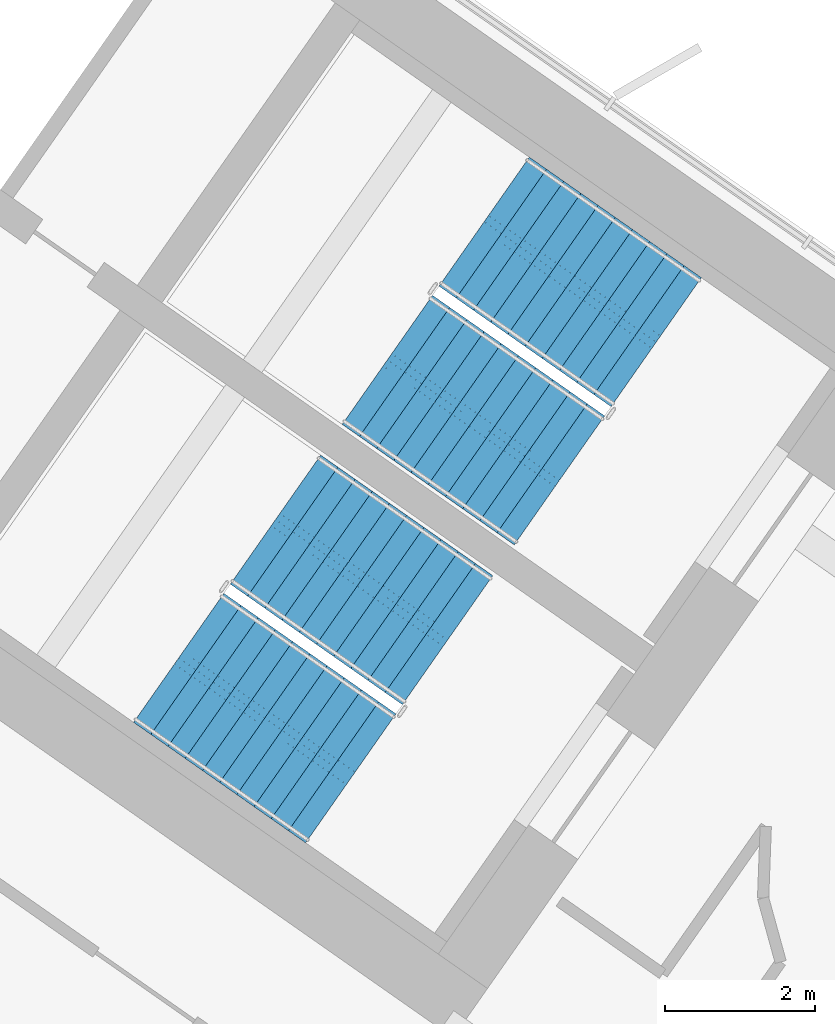
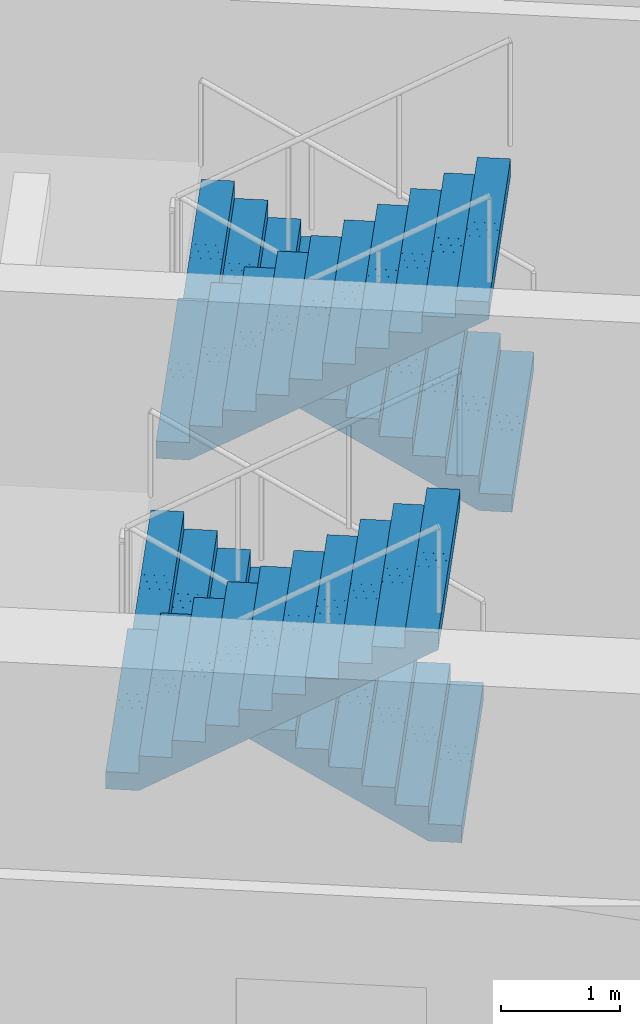
# One storey, part 16 of 21: 4 stair flights, 2 elements without a shape of their own.
"""IFC4 building model written with IfcOpenShell, lengths in metres."""

from ifc_helpers import new_model, si_unit, direction, frame, origin, place, context, subcontext, project, spatial, polyline, outline, extrude, material, type_object, element, aggregate, save


model = new_model("IFC4")

# Units and contexts
model_context = context("Model", 3, precision=1e-05, world=origin(), true_north=direction((0.0, 1.0)))
body_context = subcontext(model_context, "Body", "Model", "MODEL_VIEW")
ifc_project = project(units=[si_unit("LENGTHUNIT", "METRE"), si_unit("AREAUNIT", "SQUARE_METRE"), si_unit("VOLUMEUNIT", "CUBIC_METRE"), si_unit("PLANEANGLEUNIT", "RADIAN"), si_unit("MASSUNIT", "GRAM", prefix="KILO")], contexts=[model_context])

# Site, building, storey
site_placement = place(None, origin())
site = spatial("IfcSite", under=ifc_project, at=site_placement, CompositionType="ELEMENT")
building_placement = place(site_placement, origin())
building = spatial("IfcBuilding", under=site, at=building_placement, Name="Tel Ilan Convention Tower", CompositionType="ELEMENT")
storey_placement = place(building_placement, frame((0.0, 0.0, 210.0)))
storey = spatial("IfcBuildingStorey", under=building, at=storey_placement, Name="L49", CompositionType="ELEMENT", Elevation=210.0)

# Stair, stair flights
ifc_material_1 = material(Name="Concrete C40/50", Category="concrete")
stair_type = type_object("IfcStairType", Name="Pressurised Exit Stair 22 risers 177 mm", PredefinedType="HALF_TURN_STAIR", material=ifc_material_1)
stair_1_placement = place(storey_placement, origin())
stair_1 = element("IfcStair", 1, at=stair_1_placement, inside=storey, type_object=stair_type, Name="L49 Pressurised Stair S3", PredefinedType="HALF_TURN_STAIR")
ifc_material_2 = material(Name="Precast Concrete C40/50", Category="concrete")
stair_flight_type = type_object("IfcStairFlightType", Name="Concrete Stair Flight 2100 mm 22 risers 177 mm", PredefinedType="STRAIGHT", material=ifc_material_2)
stair_flight_1_placement = place(storey_placement, frame((24.25244140625, -7.032470703125, 0.0), z_axis=(0.0, 0.0, 1.0), x_axis=(-0.819152044289, 0.573576436351, 0.0)))
stair_flight_1 = element("IfcStairFlight", 2, at=stair_flight_1_placement, type_object=stair_flight_type, Name="S3 flight 1", NumberOfRisers=11, NumberOfTreads=10, PredefinedType="STRAIGHT", RiserHeight=0.177272727, TreadLength=0.28, context=body_context, shape_type="SweptSolid", body=[
    extrude(outline(polyline([(0.0, 0.0), (0.0, 0.17724609375), (0.280029296875, 0.17724609375), (0.280029296875, 0.3544921875), (0.56005859375, 0.3544921875), (0.56005859375, 0.53173828125), (0.840087890625, 0.53173828125), (0.840087890625, 0.708984375), (1.1201171875, 0.708984375), (1.1201171875, 0.886474609375), (1.39990234375, 0.886474609375), (1.39990234375, 1.063720703125), (1.679931640625, 1.063720703125), (1.679931640625, 1.240966796875), (1.9599609375, 1.240966796875), (1.9599609375, 1.418212890625), (2.239990234375, 1.418212890625), (2.239990234375, 1.595458984375), (2.52001953125, 1.595458984375), (2.52001953125, 1.772705078125), (2.800048828125, 1.772705078125), (2.800048828125, 1.949951171875), (2.800048828125, 1.59521484375), (0.2802734375, 0.0), (0.0, 0.0)])), frame((0.0, -0.100341796875, 0.0), z_axis=(0.0, -1.0, 0.0), x_axis=(1.0, 0.0, 0.0)), (0.0, 0.0, 1.0), 0.94970703125),
    extrude(outline(polyline([(0.0, 0.0), (0.0, 0.17724609375), (0.280029296875, 0.17724609375), (0.280029296875, 0.3544921875), (0.56005859375, 0.3544921875), (0.56005859375, 0.53173828125), (0.840087890625, 0.53173828125), (0.840087890625, 0.708984375), (1.1201171875, 0.708984375), (1.1201171875, 0.886474609375), (1.39990234375, 0.886474609375), (1.39990234375, 1.063720703125), (1.679931640625, 1.063720703125), (1.679931640625, 1.240966796875), (1.9599609375, 1.240966796875), (1.9599609375, 1.418212890625), (2.239990234375, 1.418212890625), (2.239990234375, 1.595458984375), (2.52001953125, 1.595458984375), (2.52001953125, 1.772705078125), (2.800048828125, 1.772705078125), (2.800048828125, 1.949951171875), (2.800048828125, 1.59521484375), (0.2802734375, 0.0), (0.0, 0.0)])), frame((0.0, -0.000244140625, 0.0), z_axis=(0.0, -1.0, 0.0), x_axis=(1.0, 0.0, 0.0)), (0.0, 0.0, 1.0), 0.099609375),
    extrude(outline(polyline([(0.0, 0.0), (0.0, 0.17724609375), (0.280029296875, 0.17724609375), (0.280029296875, 0.3544921875), (0.56005859375, 0.3544921875), (0.56005859375, 0.53173828125), (0.840087890625, 0.53173828125), (0.840087890625, 0.708984375), (1.1201171875, 0.708984375), (1.1201171875, 0.886474609375), (1.39990234375, 0.886474609375), (1.39990234375, 1.063720703125), (1.679931640625, 1.063720703125), (1.679931640625, 1.240966796875), (1.9599609375, 1.240966796875), (1.9599609375, 1.418212890625), (2.239990234375, 1.418212890625), (2.239990234375, 1.595458984375), (2.52001953125, 1.595458984375), (2.52001953125, 1.772705078125), (2.800048828125, 1.772705078125), (2.800048828125, 1.949951171875), (2.800048828125, 1.59521484375), (0.2802734375, 0.0), (0.0, 0.0)])), frame((0.0, 0.099853515625, 0.0), z_axis=(0.0, -1.0, 0.0), x_axis=(1.0, 0.0, 0.0)), (0.0, 0.0, 1.0), 0.099609375),
    extrude(outline(polyline([(0.0, 0.0), (0.0, 0.17724609375), (0.280029296875, 0.17724609375), (0.280029296875, 0.3544921875), (0.56005859375, 0.3544921875), (0.56005859375, 0.53173828125), (0.840087890625, 0.53173828125), (0.840087890625, 0.708984375), (1.1201171875, 0.708984375), (1.1201171875, 0.886474609375), (1.39990234375, 0.886474609375), (1.39990234375, 1.063720703125), (1.679931640625, 1.063720703125), (1.679931640625, 1.240966796875), (1.9599609375, 1.240966796875), (1.9599609375, 1.418212890625), (2.239990234375, 1.418212890625), (2.239990234375, 1.595458984375), (2.52001953125, 1.595458984375), (2.52001953125, 1.772705078125), (2.800048828125, 1.772705078125), (2.800048828125, 1.949951171875), (2.800048828125, 1.59521484375), (0.2802734375, 0.0), (0.0, 0.0)])), frame((0.0, 1.050048828125, 0.0), z_axis=(0.0, -1.0, 0.0), x_axis=(1.0, 0.0, 0.0)), (0.0, 0.0, 1.0), 0.94970703125),
])
stair_flight_2_placement = place(storey_placement, frame((20.668212890625, -7.26953125, 1.949951171875), z_axis=(0.0, 0.0, 1.0), x_axis=(0.819152044289, -0.573576436351, 0.0)))
stair_flight_2 = element("IfcStairFlight", 3, at=stair_flight_2_placement, type_object=stair_flight_type, Name="S3 flight 2", NumberOfRisers=11, NumberOfTreads=10, PredefinedType="STRAIGHT", RiserHeight=0.177272727, TreadLength=0.28, context=body_context, shape_type="SweptSolid", body=[
    extrude(outline(polyline([(0.0, 0.0), (0.0, 0.17724609375), (0.280029296875, 0.17724609375), (0.280029296875, 0.3544921875), (0.56005859375, 0.3544921875), (0.56005859375, 0.53173828125), (0.840087890625, 0.53173828125), (0.840087890625, 0.708984375), (1.1201171875, 0.708984375), (1.1201171875, 0.886474609375), (1.39990234375, 0.886474609375), (1.39990234375, 1.063720703125), (1.679931640625, 1.063720703125), (1.679931640625, 1.240966796875), (1.9599609375, 1.240966796875), (1.9599609375, 1.418212890625), (2.239990234375, 1.418212890625), (2.239990234375, 1.595458984375), (2.52001953125, 1.595458984375), (2.52001953125, 1.772705078125), (2.800048828125, 1.772705078125), (2.800048828125, 1.949951171875), (2.800048828125, 1.59521484375), (0.2802734375, 0.0), (0.0, 0.0)])), frame((0.0, -0.100341796875, 0.0), z_axis=(0.0, -1.0, 0.0), x_axis=(1.0, 0.0, 0.0)), (0.0, 0.0, 1.0), 0.94970703125),
    extrude(outline(polyline([(0.0, 0.0), (0.0, 0.17724609375), (0.280029296875, 0.17724609375), (0.280029296875, 0.3544921875), (0.56005859375, 0.3544921875), (0.56005859375, 0.53173828125), (0.840087890625, 0.53173828125), (0.840087890625, 0.708984375), (1.1201171875, 0.708984375), (1.1201171875, 0.886474609375), (1.39990234375, 0.886474609375), (1.39990234375, 1.063720703125), (1.679931640625, 1.063720703125), (1.679931640625, 1.240966796875), (1.9599609375, 1.240966796875), (1.9599609375, 1.418212890625), (2.239990234375, 1.418212890625), (2.239990234375, 1.595458984375), (2.52001953125, 1.595458984375), (2.52001953125, 1.772705078125), (2.800048828125, 1.772705078125), (2.800048828125, 1.949951171875), (2.800048828125, 1.59521484375), (0.2802734375, 0.0), (0.0, 0.0)])), frame((0.0, -0.000244140625, 0.0), z_axis=(0.0, -1.0, 0.0), x_axis=(1.0, 0.0, 0.0)), (0.0, 0.0, 1.0), 0.099609375),
    extrude(outline(polyline([(0.0, 0.0), (0.0, 0.17724609375), (0.280029296875, 0.17724609375), (0.280029296875, 0.3544921875), (0.56005859375, 0.3544921875), (0.56005859375, 0.53173828125), (0.840087890625, 0.53173828125), (0.840087890625, 0.708984375), (1.1201171875, 0.708984375), (1.1201171875, 0.886474609375), (1.39990234375, 0.886474609375), (1.39990234375, 1.063720703125), (1.679931640625, 1.063720703125), (1.679931640625, 1.240966796875), (1.9599609375, 1.240966796875), (1.9599609375, 1.418212890625), (2.239990234375, 1.418212890625), (2.239990234375, 1.595458984375), (2.52001953125, 1.595458984375), (2.52001953125, 1.772705078125), (2.800048828125, 1.772705078125), (2.800048828125, 1.949951171875), (2.800048828125, 1.59521484375), (0.2802734375, 0.0), (0.0, 0.0)])), frame((0.0, 0.099853515625, 0.0), z_axis=(0.0, -1.0, 0.0), x_axis=(1.0, 0.0, 0.0)), (0.0, 0.0, 1.0), 0.099609375),
    extrude(outline(polyline([(0.0, 0.0), (0.0, 0.17724609375), (0.280029296875, 0.17724609375), (0.280029296875, 0.3544921875), (0.56005859375, 0.3544921875), (0.56005859375, 0.53173828125), (0.840087890625, 0.53173828125), (0.840087890625, 0.708984375), (1.1201171875, 0.708984375), (1.1201171875, 0.886474609375), (1.39990234375, 0.886474609375), (1.39990234375, 1.063720703125), (1.679931640625, 1.063720703125), (1.679931640625, 1.240966796875), (1.9599609375, 1.240966796875), (1.9599609375, 1.418212890625), (2.239990234375, 1.418212890625), (2.239990234375, 1.595458984375), (2.52001953125, 1.595458984375), (2.52001953125, 1.772705078125), (2.800048828125, 1.772705078125), (2.800048828125, 1.949951171875), (2.800048828125, 1.59521484375), (0.2802734375, 0.0), (0.0, 0.0)])), frame((0.0, 1.050048828125, 0.0), z_axis=(0.0, -1.0, 0.0), x_axis=(1.0, 0.0, 0.0)), (0.0, 0.0, 1.0), 0.94970703125),
])
aggregate(stair_1, [stair_flight_1, stair_flight_2])

stair_2_placement = place(storey_placement, origin())
stair_2 = element("IfcStair", 4, at=stair_2_placement, inside=storey, type_object=stair_type, Name="L49 Pressurised Stair S4", PredefinedType="HALF_TURN_STAIR")
stair_flight_3_placement = place(storey_placement, frame((21.470458984375, -11.00537109375, 0.0), z_axis=(0.0, 0.0, 1.0), x_axis=(-0.819152044289, 0.573576436351, 0.0)))
stair_flight_3 = element("IfcStairFlight", 5, at=stair_flight_3_placement, type_object=stair_flight_type, Name="S4 flight 1", NumberOfRisers=11, NumberOfTreads=10, PredefinedType="STRAIGHT", RiserHeight=0.177272727, TreadLength=0.28, context=body_context, shape_type="SweptSolid", body=[
    extrude(outline(polyline([(0.0, 0.0), (0.0, 0.17724609375), (0.280029296875, 0.17724609375), (0.280029296875, 0.3544921875), (0.56005859375, 0.3544921875), (0.56005859375, 0.53173828125), (0.840087890625, 0.53173828125), (0.840087890625, 0.708984375), (1.1201171875, 0.708984375), (1.1201171875, 0.886474609375), (1.39990234375, 0.886474609375), (1.39990234375, 1.063720703125), (1.679931640625, 1.063720703125), (1.679931640625, 1.240966796875), (1.9599609375, 1.240966796875), (1.9599609375, 1.418212890625), (2.239990234375, 1.418212890625), (2.239990234375, 1.595458984375), (2.52001953125, 1.595458984375), (2.52001953125, 1.772705078125), (2.800048828125, 1.772705078125), (2.800048828125, 1.949951171875), (2.800048828125, 1.59521484375), (0.2802734375, 0.0), (0.0, 0.0)])), frame((0.0, -0.100341796875, 0.0), z_axis=(0.0, -1.0, 0.0), x_axis=(1.0, 0.0, 0.0)), (0.0, 0.0, 1.0), 0.94970703125),
    extrude(outline(polyline([(0.0, 0.0), (0.0, 0.17724609375), (0.280029296875, 0.17724609375), (0.280029296875, 0.3544921875), (0.56005859375, 0.3544921875), (0.56005859375, 0.53173828125), (0.840087890625, 0.53173828125), (0.840087890625, 0.708984375), (1.1201171875, 0.708984375), (1.1201171875, 0.886474609375), (1.39990234375, 0.886474609375), (1.39990234375, 1.063720703125), (1.679931640625, 1.063720703125), (1.679931640625, 1.240966796875), (1.9599609375, 1.240966796875), (1.9599609375, 1.418212890625), (2.239990234375, 1.418212890625), (2.239990234375, 1.595458984375), (2.52001953125, 1.595458984375), (2.52001953125, 1.772705078125), (2.800048828125, 1.772705078125), (2.800048828125, 1.949951171875), (2.800048828125, 1.59521484375), (0.2802734375, 0.0), (0.0, 0.0)])), frame((0.0, -0.000244140625, 0.0), z_axis=(0.0, -1.0, 0.0), x_axis=(1.0, 0.0, 0.0)), (0.0, 0.0, 1.0), 0.099609375),
    extrude(outline(polyline([(0.0, 0.0), (0.0, 0.17724609375), (0.280029296875, 0.17724609375), (0.280029296875, 0.3544921875), (0.56005859375, 0.3544921875), (0.56005859375, 0.53173828125), (0.840087890625, 0.53173828125), (0.840087890625, 0.708984375), (1.1201171875, 0.708984375), (1.1201171875, 0.886474609375), (1.39990234375, 0.886474609375), (1.39990234375, 1.063720703125), (1.679931640625, 1.063720703125), (1.679931640625, 1.240966796875), (1.9599609375, 1.240966796875), (1.9599609375, 1.418212890625), (2.239990234375, 1.418212890625), (2.239990234375, 1.595458984375), (2.52001953125, 1.595458984375), (2.52001953125, 1.772705078125), (2.800048828125, 1.772705078125), (2.800048828125, 1.949951171875), (2.800048828125, 1.59521484375), (0.2802734375, 0.0), (0.0, 0.0)])), frame((0.0, 0.099853515625, 0.0), z_axis=(0.0, -1.0, 0.0), x_axis=(1.0, 0.0, 0.0)), (0.0, 0.0, 1.0), 0.099609375),
    extrude(outline(polyline([(0.0, 0.0), (0.0, 0.17724609375), (0.280029296875, 0.17724609375), (0.280029296875, 0.3544921875), (0.56005859375, 0.3544921875), (0.56005859375, 0.53173828125), (0.840087890625, 0.53173828125), (0.840087890625, 0.708984375), (1.1201171875, 0.708984375), (1.1201171875, 0.886474609375), (1.39990234375, 0.886474609375), (1.39990234375, 1.063720703125), (1.679931640625, 1.063720703125), (1.679931640625, 1.240966796875), (1.9599609375, 1.240966796875), (1.9599609375, 1.418212890625), (2.239990234375, 1.418212890625), (2.239990234375, 1.595458984375), (2.52001953125, 1.595458984375), (2.52001953125, 1.772705078125), (2.800048828125, 1.772705078125), (2.800048828125, 1.949951171875), (2.800048828125, 1.59521484375), (0.2802734375, 0.0), (0.0, 0.0)])), frame((0.0, 1.050048828125, 0.0), z_axis=(0.0, -1.0, 0.0), x_axis=(1.0, 0.0, 0.0)), (0.0, 0.0, 1.0), 0.94970703125),
])
stair_flight_4_placement = place(storey_placement, frame((17.886474609375, -11.242431640625, 1.949951171875), z_axis=(0.0, 0.0, 1.0), x_axis=(0.819152044289, -0.573576436351, 0.0)))
stair_flight_4 = element("IfcStairFlight", 6, at=stair_flight_4_placement, type_object=stair_flight_type, Name="S4 flight 2", NumberOfRisers=11, NumberOfTreads=10, PredefinedType="STRAIGHT", RiserHeight=0.177272727, TreadLength=0.28, context=body_context, shape_type="SweptSolid", body=[
    extrude(outline(polyline([(0.0, 0.0), (0.0, 0.17724609375), (0.280029296875, 0.17724609375), (0.280029296875, 0.3544921875), (0.56005859375, 0.3544921875), (0.56005859375, 0.53173828125), (0.840087890625, 0.53173828125), (0.840087890625, 0.708984375), (1.1201171875, 0.708984375), (1.1201171875, 0.886474609375), (1.39990234375, 0.886474609375), (1.39990234375, 1.063720703125), (1.679931640625, 1.063720703125), (1.679931640625, 1.240966796875), (1.9599609375, 1.240966796875), (1.9599609375, 1.418212890625), (2.239990234375, 1.418212890625), (2.239990234375, 1.595458984375), (2.52001953125, 1.595458984375), (2.52001953125, 1.772705078125), (2.800048828125, 1.772705078125), (2.800048828125, 1.949951171875), (2.800048828125, 1.59521484375), (0.2802734375, 0.0), (0.0, 0.0)])), frame((0.0, -0.100341796875, 0.0), z_axis=(0.0, -1.0, 0.0), x_axis=(1.0, 0.0, 0.0)), (0.0, 0.0, 1.0), 0.94970703125),
    extrude(outline(polyline([(0.0, 0.0), (0.0, 0.17724609375), (0.280029296875, 0.17724609375), (0.280029296875, 0.3544921875), (0.56005859375, 0.3544921875), (0.56005859375, 0.53173828125), (0.840087890625, 0.53173828125), (0.840087890625, 0.708984375), (1.1201171875, 0.708984375), (1.1201171875, 0.886474609375), (1.39990234375, 0.886474609375), (1.39990234375, 1.063720703125), (1.679931640625, 1.063720703125), (1.679931640625, 1.240966796875), (1.9599609375, 1.240966796875), (1.9599609375, 1.418212890625), (2.239990234375, 1.418212890625), (2.239990234375, 1.595458984375), (2.52001953125, 1.595458984375), (2.52001953125, 1.772705078125), (2.800048828125, 1.772705078125), (2.800048828125, 1.949951171875), (2.800048828125, 1.59521484375), (0.2802734375, 0.0), (0.0, 0.0)])), frame((0.0, -0.000244140625, 0.0), z_axis=(0.0, -1.0, 0.0), x_axis=(1.0, 0.0, 0.0)), (0.0, 0.0, 1.0), 0.099609375),
    extrude(outline(polyline([(0.0, 0.0), (0.0, 0.17724609375), (0.280029296875, 0.17724609375), (0.280029296875, 0.3544921875), (0.56005859375, 0.3544921875), (0.56005859375, 0.53173828125), (0.840087890625, 0.53173828125), (0.840087890625, 0.708984375), (1.1201171875, 0.708984375), (1.1201171875, 0.886474609375), (1.39990234375, 0.886474609375), (1.39990234375, 1.063720703125), (1.679931640625, 1.063720703125), (1.679931640625, 1.240966796875), (1.9599609375, 1.240966796875), (1.9599609375, 1.418212890625), (2.239990234375, 1.418212890625), (2.239990234375, 1.595458984375), (2.52001953125, 1.595458984375), (2.52001953125, 1.772705078125), (2.800048828125, 1.772705078125), (2.800048828125, 1.949951171875), (2.800048828125, 1.59521484375), (0.2802734375, 0.0), (0.0, 0.0)])), frame((0.0, 0.099853515625, 0.0), z_axis=(0.0, -1.0, 0.0), x_axis=(1.0, 0.0, 0.0)), (0.0, 0.0, 1.0), 0.099609375),
    extrude(outline(polyline([(0.0, 0.0), (0.0, 0.17724609375), (0.280029296875, 0.17724609375), (0.280029296875, 0.3544921875), (0.56005859375, 0.3544921875), (0.56005859375, 0.53173828125), (0.840087890625, 0.53173828125), (0.840087890625, 0.708984375), (1.1201171875, 0.708984375), (1.1201171875, 0.886474609375), (1.39990234375, 0.886474609375), (1.39990234375, 1.063720703125), (1.679931640625, 1.063720703125), (1.679931640625, 1.240966796875), (1.9599609375, 1.240966796875), (1.9599609375, 1.418212890625), (2.239990234375, 1.418212890625), (2.239990234375, 1.595458984375), (2.52001953125, 1.595458984375), (2.52001953125, 1.772705078125), (2.800048828125, 1.772705078125), (2.800048828125, 1.949951171875), (2.800048828125, 1.59521484375), (0.2802734375, 0.0), (0.0, 0.0)])), frame((0.0, 1.050048828125, 0.0), z_axis=(0.0, -1.0, 0.0), x_axis=(1.0, 0.0, 0.0)), (0.0, 0.0, 1.0), 0.94970703125),
])
aggregate(stair_2, [stair_flight_3, stair_flight_4])

save(model, "model.ifc")
